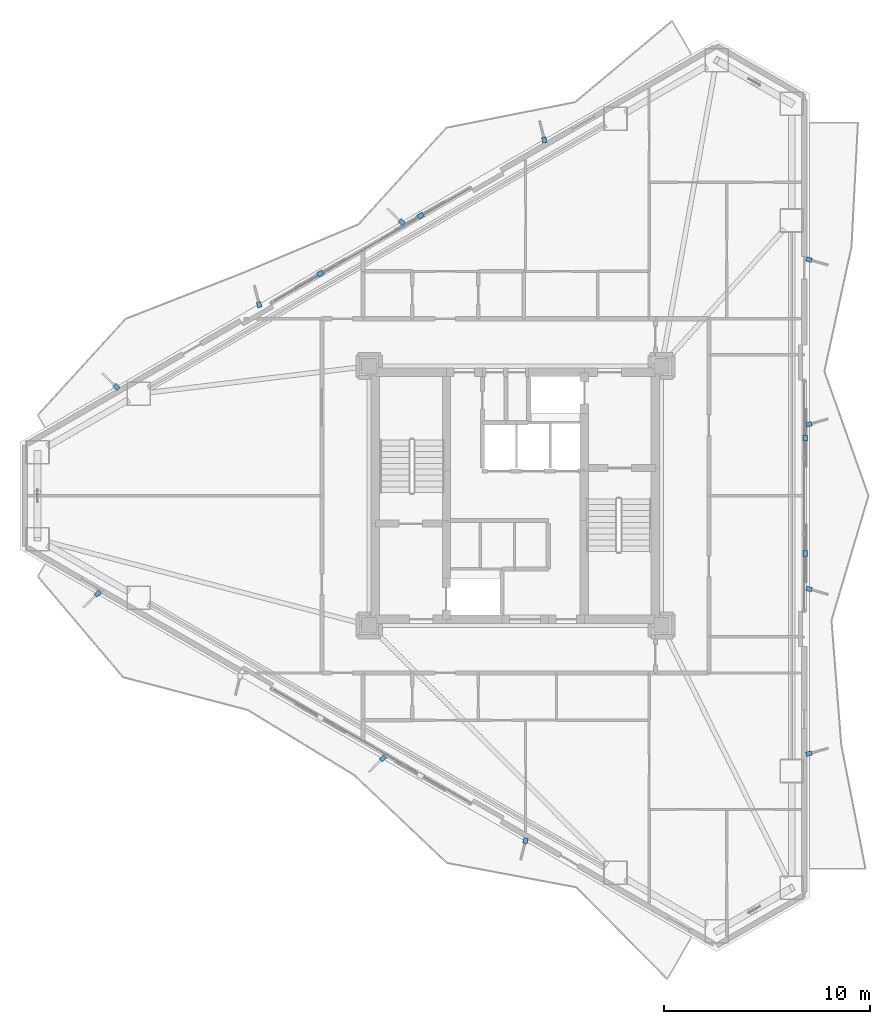
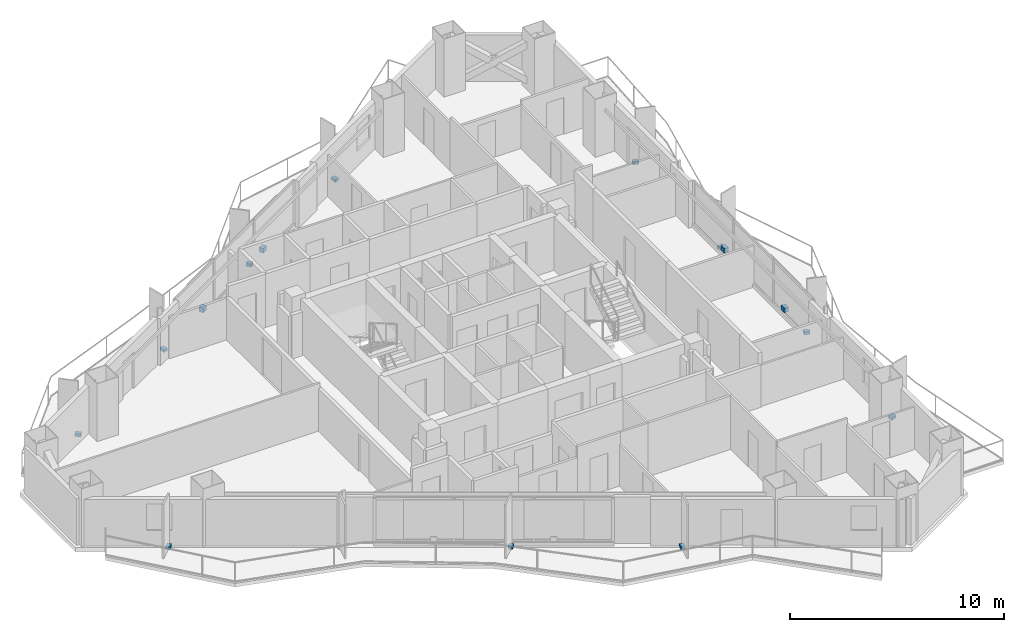
# One storey, part 20 of 22: 15 discrete accessories.
"""IFC4 building model written with IfcOpenShell, lengths in metres."""

import ifcopenshell
import ifcopenshell.guid

model = None  # the IFC model being written
_history = None  # IfcOwnerHistory: only IFC2X3 demands one
_inside = {}  # id of a spatial element -> (the spatial element, [elements in it])
_under = {}  # id of a project, library or spatial element -> (it, [spatial elements below it])
_declared = {}  # id of a project -> (the project, [libraries it declares])
_typed = {}  # id of a type object -> (the type object, [elements of that type])
_made_of = {}  # id of a material, layer set ... -> (it, [elements and type objects made of it])


def new_model(schema):
    """Start an empty IFC model of exactly this schema.

    Asked for "IFC4X3", IfcOpenShell would pick the latest addendum, in which some entities
    have other attributes; the version numbers below select the first issue.
    IFC2X3 requires an IfcOwnerHistory on every rooted entity: one is made here for all.
    """
    global model, _history
    if schema == "IFC4X3":
        model = ifcopenshell.file(schema_version=(4, 3, 0, 0))
    else:
        model = ifcopenshell.file(schema=schema)
    _inside.clear()
    _under.clear()
    _declared.clear()
    _typed.clear()
    _made_of.clear()
    _history = None
    if model.schema == "IFC2X3":
        org = make("IfcOrganization", Name="unknown")
        user = make(
            "IfcPersonAndOrganization",
            ThePerson=make("IfcPerson", FamilyName="unknown"),
            TheOrganization=org,
        )
        app = make(
            "IfcApplication",
            ApplicationDeveloper=org,
            Version="unknown",
            ApplicationFullName="unknown",
            ApplicationIdentifier="unknown",
        )
        _history = make(
            "IfcOwnerHistory",
            OwningUser=user,
            OwningApplication=app,
            ChangeAction="ADDED",
            CreationDate=0,
        )
    return model


def make(cls, **values):
    """One entity of the class cls with the attributes given. An attribute that is None is left unset."""
    return model.create_entity(
        cls, **{name: value for name, value in values.items() if value is not None}
    )


def rooted(cls, **values):
    """An entity with a GlobalId (a new one), such as an element, a storey or a relation."""
    return make(cls, GlobalId=ifcopenshell.guid.new(), OwnerHistory=_history, **values)


def si_unit(unit_type, name, prefix=None):
    """IfcSIUnit, for example si_unit("LENGTHUNIT", "METRE", prefix="MILLI")."""
    return make("IfcSIUnit", UnitType=unit_type, Prefix=prefix, Name=name)


def assignment(units):
    """IfcUnitAssignment: the units of a project."""
    return None if units is None else make("IfcUnitAssignment", Units=units)


def point(xyz):
    """IfcCartesianPoint."""
    return None if xyz is None else make("IfcCartesianPoint", Coordinates=xyz)


def direction(xyz):
    """IfcDirection."""
    return None if xyz is None else make("IfcDirection", DirectionRatios=xyz)


def frame(location, z_axis=None, x_axis=None):
    """IfcAxis2Placement3D, a coordinate frame: its origin and axes. An axis left out is left unset."""
    return make(
        "IfcAxis2Placement3D",
        Location=point(location),
        Axis=direction(z_axis),
        RefDirection=direction(x_axis),
    )


def frame_2d(location, x_axis=None):
    """IfcAxis2Placement2D, a coordinate frame in the plane: its origin and x axis."""
    return make(
        "IfcAxis2Placement2D", Location=point(location), RefDirection=direction(x_axis)
    )


def origin():
    """The frame at (0, 0, 0) with its axes left unset."""
    return frame((0.0, 0.0, 0.0))


def origin_2d():
    """The frame at (0, 0) in the plane with its x axis left unset."""
    return frame_2d((0.0, 0.0))


def place(relative_to, where):
    """IfcLocalPlacement: puts the frame where relative to a parent placement (None: the world)."""
    return make(
        "IfcLocalPlacement", PlacementRelTo=relative_to, RelativePlacement=where
    )


def context(
    kind, dimensions, precision=None, world=None, true_north=None, identifier=None
):
    """IfcGeometricRepresentationContext, for example the 3D "Model" context."""
    return make(
        "IfcGeometricRepresentationContext",
        ContextIdentifier=identifier,
        ContextType=kind,
        CoordinateSpaceDimension=dimensions,
        Precision=precision,
        WorldCoordinateSystem=world,
        TrueNorth=true_north,
    )


def subcontext(parent, identifier, kind, view, scale=None):
    """IfcGeometricRepresentationSubContext, for example "Body" below "Model"."""
    return make(
        "IfcGeometricRepresentationSubContext",
        ContextIdentifier=identifier,
        ContextType=kind,
        ParentContext=parent,
        TargetScale=scale,
        TargetView=view,
    )


def project(units=None, contexts=None):
    """IfcProject with its units and contexts."""
    return rooted(
        "IfcProject",
        Name="project",
        RepresentationContexts=contexts,
        UnitsInContext=assignment(units),
    )


def spatial(cls, under=None, at=None, **own):
    """A site, building, storey or space (cls), placed at a placement, below another one or the project."""
    s = rooted(cls, ObjectPlacement=at, **own)
    if under is not None:
        _under.setdefault(under.id(), (under, []))[1].append(s)
    return s


def profile(cls, at=None, kind="AREA", **sizes):
    """A parametric profile (cls). Its sizes go by their IFC names, for example OverallWidth=200.0."""
    return make(cls, ProfileType=kind, Position=at, **sizes)


def rectangle(**sizes):
    """IfcRectangleProfileDef."""
    return profile("IfcRectangleProfileDef", **sizes)


def extrude(swept, where, along, depth):
    """IfcExtrudedAreaSolid: the profile swept, set in the frame where, extruded along a direction by depth."""
    return make(
        "IfcExtrudedAreaSolid",
        SweptArea=swept,
        Position=where,
        ExtrudedDirection=direction(along),
        Depth=depth,
    )


def shape(context_of_items, identifier, shape_type, items):
    """IfcShapeRepresentation: the items that make up one representation, for example the "Body"."""
    return make(
        "IfcShapeRepresentation",
        ContextOfItems=context_of_items,
        RepresentationIdentifier=identifier,
        RepresentationType=shape_type,
        Items=items,
    )


def material(Name=None, Category=None):
    """IfcMaterial."""
    return make("IfcMaterial", Name=Name, Category=Category)


def layer(
    of_material, thickness, ventilated=None, Name=None, Category=None, Priority=None
):
    """IfcMaterialLayer: one layer of a wall or slab, of a material (None: an air gap)."""
    return make(
        "IfcMaterialLayer",
        Material=of_material,
        LayerThickness=thickness,
        IsVentilated=ventilated,
        Name=Name,
        Category=Category,
        Priority=Priority,
    )


def layer_set(layers, Name=None):
    """IfcMaterialLayerSet."""
    return make("IfcMaterialLayerSet", MaterialLayers=layers, LayerSetName=Name)


def made_of(thing, what):
    """Note that an element or type object is made of a material, layer set ...; save() writes the relation."""
    if what is not None:
        _made_of.setdefault(what.id(), (what, []))[1].append(thing)
    return thing


def type_object(cls, material=None, **own):
    """A type object (cls), such as IfcWallType, which elements share."""
    return made_of(rooted(cls, **own), material)


def element(
    cls,
    number,
    at=None,
    inside=None,
    cuts=None,
    type_object=None,
    material=None,
    context=None,
    identifier="Body",
    shape_type=None,
    held_by="IfcProductDefinitionShape",
    body=None,
    shapes=None,
    **own,
):
    """One element of the class cls, such as IfcWall. Its Tag is "e" and its number.

    at: its placement. inside: the storey or other place that contains it. cuts: it is an
    opening in that element (IfcRelVoidsElement). A single representation is given by context,
    identifier, shape_type and body (its items); several are given by shapes. held_by: the class
    of the entity that holds the representations. save() writes the other relations.
    """
    e = rooted(cls, Tag="e%d" % number, ObjectPlacement=at, **own)
    if body is not None:
        shapes = [shape(context, identifier, shape_type, body)]
    if shapes is not None:
        e.Representation = make(held_by, Representations=shapes)
    if inside is not None:
        _inside.setdefault(inside.id(), (inside, []))[1].append(e)
    if cuts is not None:
        rooted(
            "IfcRelVoidsElement", RelatingBuildingElement=cuts, RelatedOpeningElement=e
        )
    if type_object is not None:
        _typed.setdefault(type_object.id(), (type_object, []))[1].append(e)
    return made_of(e, material)


def aggregate(whole, parts):
    """IfcRelAggregates: a whole, such as a stair, and the parts it consists of."""
    return rooted("IfcRelAggregates", RelatingObject=whole, RelatedObjects=parts)


def save(model, path):
    """Write the relations noted so far, then the file.

    IfcRelAggregates (storeys below a building ...), IfcRelContainedInSpatialStructure (elements
    in a storey), IfcRelDefinesByType, IfcRelAssociatesMaterial and IfcRelDeclares: one each for
    every whole, place, type object, material and project.
    """
    for whole, parts in _under.values():
        aggregate(whole, parts)
    for where, things in _inside.values():
        rooted(
            "IfcRelContainedInSpatialStructure",
            RelatedElements=things,
            RelatingStructure=where,
        )
    for kind, things in _typed.values():
        rooted("IfcRelDefinesByType", RelatedObjects=things, RelatingType=kind)
    for what, things in _made_of.values():
        rooted("IfcRelAssociatesMaterial", RelatedObjects=things, RelatingMaterial=what)
    for by, libraries in _declared.values():
        rooted("IfcRelDeclares", RelatingContext=by, RelatedDefinitions=libraries)
    model.write(path)


model = new_model("IFC4")

# Units and contexts
model_context = context("Model", 3, precision=1e-05, world=origin(), true_north=direction((0.0, 1.0)))
body_context = subcontext(model_context, "Body", "Model", "MODEL_VIEW")
ifc_project = project(units=[si_unit("LENGTHUNIT", "METRE"), si_unit("AREAUNIT", "SQUARE_METRE"), si_unit("VOLUMEUNIT", "CUBIC_METRE"), si_unit("PLANEANGLEUNIT", "RADIAN"), si_unit("MASSUNIT", "GRAM", prefix="KILO")], contexts=[model_context])

# Site, building, storey
site_placement = place(None, origin())
site = spatial("IfcSite", under=ifc_project, at=site_placement, CompositionType="ELEMENT")
building_placement = place(site_placement, origin())
building = spatial("IfcBuilding", under=site, at=building_placement, Name="Mersakhor Tower and Convention Hall", CompositionType="ELEMENT")
storey_placement = place(building_placement, frame((0.0, 0.0, 109.800048828125)))
storey = spatial("IfcBuildingStorey", under=building, at=storey_placement, Name="L30", CompositionType="ELEMENT", Elevation=109.800048828125)

# Discrete accessories
ifc_material = material(Name="Galvanised steel bracket", Category="steel")
ifc_layer = layer(ifc_material, 0.02001953125)
ifc_layer_set = layer_set([ifc_layer], Name="Galvanised steel bracket")
discrete_accessory_type = type_object("IfcDiscreteAccessoryType", Name="ACC-BRK-STL", PredefinedType="BRACKET", material=ifc_layer_set)
for number, where, z_axis, x_axis, name in (
    (1, (19.5263671875, 37.5439453125, 0.2900390625), (0.0, 0.0, 1.0), (0.866025403784, 0.5, 0.0), "L30 Solar Screen Outrigger Bracket BRK-1-1"),
    (2, (24.388916015625, 40.351318359375, 0.2900390625), (0.0, 0.0, 1.0), (0.866025403784, 0.5, 0.0), "L30 Solar Screen Outrigger Bracket BRK-1-2"),
):
    element("IfcDiscreteAccessory", number, at=place(storey_placement, frame(where, z_axis=z_axis, x_axis=x_axis)), inside=storey, type_object=discrete_accessory_type, Name=name, PredefinedType="BRACKET", context=body_context, shape_type="SweptSolid", body=[
        extrude(rectangle(XDim=0.300048828125, YDim=0.239990234375, at=origin_2d()), origin(), (0.0, 0.0, 1.0), 0.260009765625),
    ])
for number, where, z_axis, x_axis, name in (
    (3, (9.623291015625, 32.0341796875, -0.02001953125), (0.0, 0.0, 1.0), (-0.719339800339, 0.694658370459, 0.0), "L30 Facade Fin Base Cleat Bracket FBRK-1-1"),
    (4, (16.551513671875, 36.0341796875, -0.02001953125), (0.0, 0.0, 1.0), (-0.2419218956, 0.970295726276, 0.0), "L30 Facade Fin Base Cleat Bracket FBRK-1-2"),
    (5, (23.4794921875, 40.0341796875, -0.02001953125), (0.0, 0.0, 1.0), (-0.719339800339, 0.694658370459, 0.0), "L30 Facade Fin Base Cleat Bracket FBRK-1-3"),
    (6, (30.40771484375, 44.0341796875, -0.02001953125), (0.0, 0.0, 1.0), (-0.2419218956, 0.970295726276, 0.0), "L30 Facade Fin Base Cleat Bracket FBRK-1-4"),
):
    element("IfcDiscreteAccessory", number, at=place(storey_placement, frame(where, z_axis=z_axis, x_axis=x_axis)), inside=storey, type_object=discrete_accessory_type, Name=name, PredefinedType="BRACKET", context=body_context, shape_type="SweptSolid", body=[
        extrude(rectangle(XDim=0.280029296875, YDim=0.219970703125, at=origin_2d()), origin(), (0.0, 0.0, 1.0), 0.159912109375),
    ])
for number, where, z_axis, x_axis, name in (
    (7, (43.084716796875, 29.557373046875, 0.2900390625), (0.0, 0.0, 1.0), (0.0, -1.0, 0.0), "L30 Solar Screen Outrigger Bracket BRK-2-1"),
    (8, (43.084716796875, 23.942626953125, 0.2900390625), (0.0, 0.0, 1.0), (0.0, -1.0, 0.0), "L30 Solar Screen Outrigger Bracket BRK-2-2"),
):
    element("IfcDiscreteAccessory", number, at=place(storey_placement, frame(where, z_axis=z_axis, x_axis=x_axis)), inside=storey, type_object=discrete_accessory_type, Name=name, PredefinedType="BRACKET", context=body_context, shape_type="SweptSolid", body=[
        extrude(rectangle(XDim=0.300048828125, YDim=0.239990234375, at=origin_2d()), origin(), (0.0, 0.0, 1.0), 0.260009765625),
    ])
for number, where, z_axis, x_axis, name in (
    (9, (43.2646484375, 38.221923828125, -0.02001953125), (0.0, 0.0, 1.0), (0.961261695938, -0.275637355817, 0.0), "L30 Facade Fin Base Cleat Bracket FBRK-2-1"),
    (10, (43.2646484375, 30.221923828125, -0.02001953125), (0.0, 0.0, 1.0), (0.961261695938, 0.275637355817, 0.0), "L30 Facade Fin Base Cleat Bracket FBRK-2-2"),
    (11, (43.2646484375, 22.221923828125, -0.02001953125), (0.0, 0.0, 1.0), (0.961261695938, -0.275637355817, 0.0), "L30 Facade Fin Base Cleat Bracket FBRK-2-3"),
    (12, (43.2646484375, 14.221923828125, -0.02001953125), (0.0, 0.0, 1.0), (0.961261695938, 0.275637355817, 0.0), "L30 Facade Fin Base Cleat Bracket FBRK-2-4"),
    (13, (29.493408203125, 9.993896484375, -0.02001953125), (0.0, 0.0, 1.0), (-0.2419218956, -0.970295726276, 0.0), "L30 Facade Fin Base Cleat Bracket FBRK-3-1"),
    (14, (22.565185546875, 13.993896484375, -0.02001953125), (0.0, 0.0, 1.0), (-0.719339800339, -0.694658370459, 0.0), "L30 Facade Fin Base Cleat Bracket FBRK-3-2"),
    (15, (8.708740234375, 21.993896484375, -0.02001953125), (0.0, 0.0, 1.0), (-0.719339800339, -0.694658370459, 0.0), "L30 Facade Fin Base Cleat Bracket FBRK-3-4"),
):
    element("IfcDiscreteAccessory", number, at=place(storey_placement, frame(where, z_axis=z_axis, x_axis=x_axis)), inside=storey, type_object=discrete_accessory_type, Name=name, PredefinedType="BRACKET", context=body_context, shape_type="SweptSolid", body=[
        extrude(rectangle(XDim=0.280029296875, YDim=0.219970703125, at=origin_2d()), origin(), (0.0, 0.0, 1.0), 0.159912109375),
    ])

save(model, "model.ifc")
